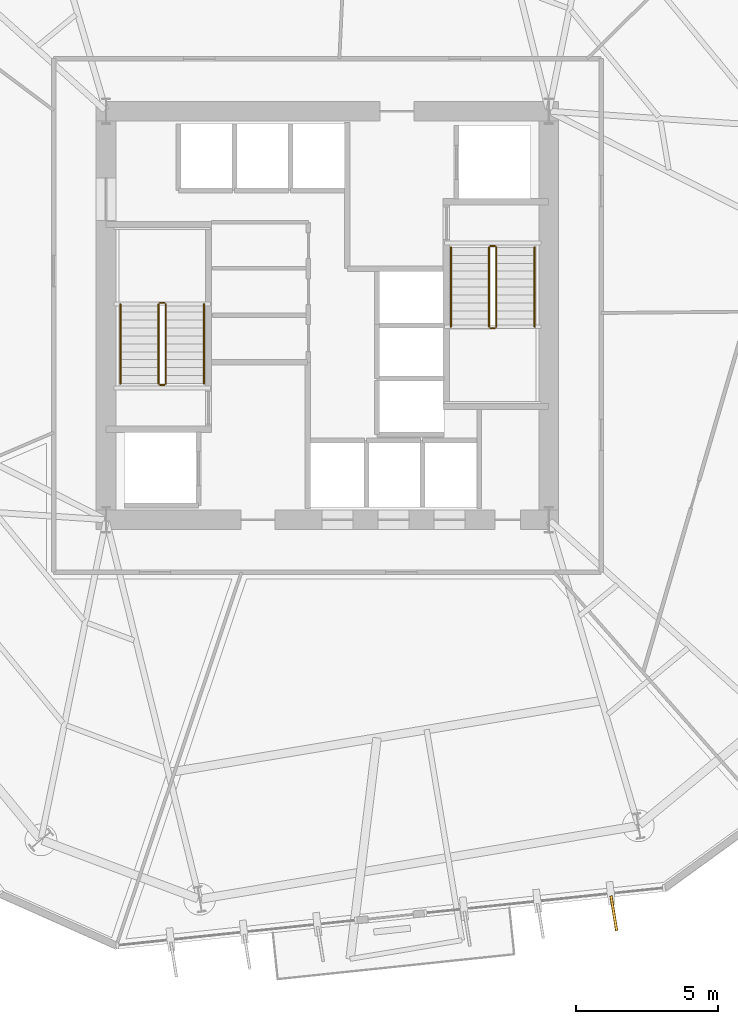
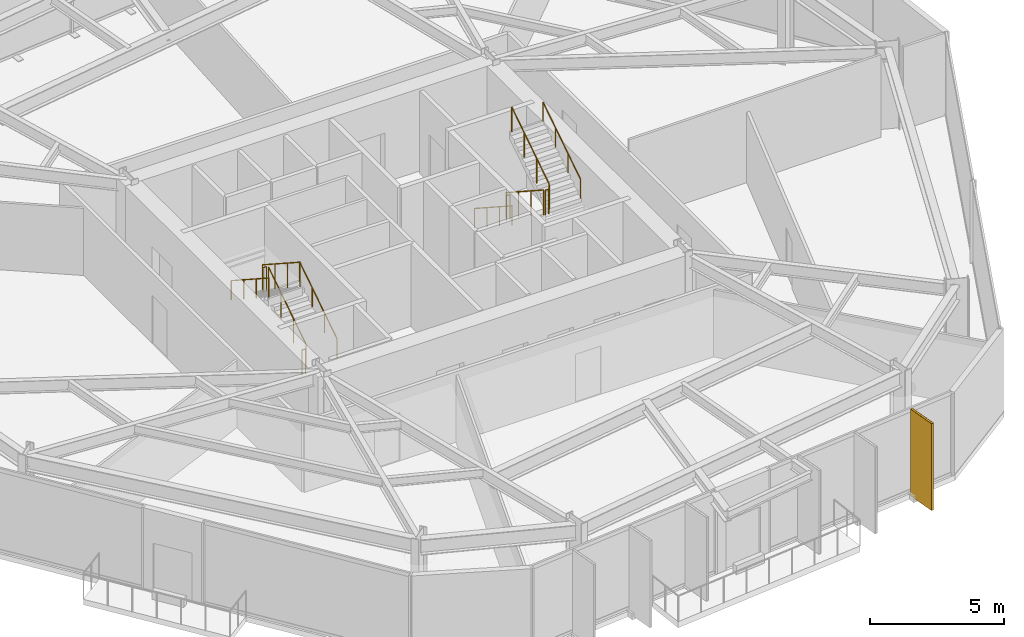
# One storey, part 10 of 11: 12 railings, 1 covering, 1 shading device.
"""IFC4 building model written with IfcOpenShell, lengths in metres."""

from ifc_helpers import new_model, si_unit, direction, frame, origin, origin_2d, place, context, subcontext, project, spatial, rectangle, circle, extrude, material, layer, layer_set, type_object, element, save


model = new_model("IFC4")

# Units and contexts
model_context = context("Model", 3, precision=1e-05, world=origin(), true_north=direction((0.0, 1.0)))
body_context = subcontext(model_context, "Body", "Model", "MODEL_VIEW")
ifc_project = project(units=[si_unit("LENGTHUNIT", "METRE"), si_unit("AREAUNIT", "SQUARE_METRE"), si_unit("VOLUMEUNIT", "CUBIC_METRE"), si_unit("PLANEANGLEUNIT", "RADIAN"), si_unit("MASSUNIT", "GRAM", prefix="KILO")], contexts=[model_context])

# Site, building, storey
site_placement = place(None, origin())
site = spatial("IfcSite", under=ifc_project, at=site_placement, CompositionType="ELEMENT")
building_placement = place(site_placement, origin())
building = spatial("IfcBuilding", under=site, at=building_placement, Name="Kranzbogen Civic Tower", CompositionType="ELEMENT")
storey_placement = place(building_placement, frame((0.0, 0.0, 44.0)))
storey = spatial("IfcBuildingStorey", under=building, at=storey_placement, Name="L10", CompositionType="ELEMENT", Elevation=44.0)

# Covering
ifc_material_1 = material(Name="Pale Anodised Aluminium", Category="aluminium")
ifc_layer = layer(ifc_material_1, 0.02490234375, Name="Pale Anodised Aluminium")
ifc_layer_set = layer_set([ifc_layer], Name="Pale Anodised Aluminium")
covering_type = type_object("IfcCoveringType", Name="Anodised Aluminium Vertical Fin Cladding 25 mm", PredefinedType="CLADDING", material=ifc_layer_set)
covering_placement = place(storey_placement, frame((35.093994140625, 3.927978515625, -0.139892578125), z_axis=(0.0, 0.0, 1.0), x_axis=(0.161397130983, -0.986889540988, 0.0)))
element("IfcCovering", 1, at=covering_placement, inside=storey, type_object=covering_type, Name="L10 vertical fin pale-metal cladding F5-7", PredefinedType="CLADDING", context=body_context, shape_type="SweptSolid", body=[
    extrude(rectangle(XDim=1.25, YDim=0.10009765625, at=origin_2d()), origin(), (0.0, 0.0, 1.0), 3.9599609375),
])

# Shading device
ifc_material_2 = material(Name="Anodised Bronze Aluminium", Category="aluminium")
shading_device_type = type_object("IfcShadingDeviceType", Name="Anodised Bronze Vertical Facade Fin 1250x80", PredefinedType="USERDEFINED", material=ifc_material_2)
shading_device_placement = place(storey_placement, frame((35.093994140625, 3.927978515625, -0.139892578125), z_axis=(0.0, 0.0, 1.0), x_axis=(0.161397130983, -0.986889540988, 0.0)))
element("IfcShadingDevice", 2, at=shading_device_placement, inside=storey, type_object=shading_device_type, Name="L10 vertical exterior shading fin F5-7", ObjectType="FIN", PredefinedType="USERDEFINED", context=body_context, shape_type="SweptSolid", body=[
    extrude(rectangle(XDim=1.25, YDim=0.080078125, at=origin_2d()), origin(), (0.0, 0.0, 1.0), 3.9599609375),
])

# Railings
ifc_material_3 = material(Name="Steel S355", Category="steel")
railing_type_1 = type_object("IfcRailingType", Name="Internal Stair and Void Steel Guardrail 1150", PredefinedType="GUARDRAIL", material=ifc_material_3)
railing_1_placement = place(storey_placement, frame((19.300048828125, 22.60009765625, 0.181884765625)))
element("IfcRailing", 3, at=railing_1_placement, inside=storey, type_object=railing_type_1, Name="L10 ST-T1 stair guard 1", PredefinedType="GUARDRAIL", context=body_context, shape_type="SweptSolid", body=[
    extrude(circle(Radius=0.02392578125, at=origin_2d()), frame((0.0, 0.0, 1.1259765625), z_axis=(0.0, 0.83868413941, 0.544618136222), x_axis=(-1.0, 0.0, 0.0)), (0.0, 0.0, 1.0), 3.33837890625),
    extrude(circle(Radius=0.02099609375, at=origin_2d()), origin(), (0.0, 0.0, 1.0), 1.101806640625),
    extrude(circle(Radius=0.02099609375, at=origin_2d()), frame((0.0, 0.933349609375, 0.60595703125)), (0.0, 0.0, 1.0), 1.101806640625),
    extrude(circle(Radius=0.02099609375, at=origin_2d()), frame((0.0, 1.866455078125, 1.212158203125)), (0.0, 0.0, 1.0), 1.101806640625),
    extrude(circle(Radius=0.02099609375, at=origin_2d()), frame((0.0, 2.7998046875, 1.818115234375)), (0.0, 0.0, 1.0), 1.101806640625),
])
railing_2_placement = place(storey_placement, frame((19.25, 25.449951171875, 2.0)))
element("IfcRailing", 4, at=railing_2_placement, inside=storey, type_object=railing_type_1, Name="L10 ST-T1 stair guard 2", PredefinedType="GUARDRAIL", context=body_context, shape_type="SweptSolid", body=[
    extrude(circle(Radius=0.02392578125, at=origin_2d()), frame((0.0, 0.0, 1.1259765625), z_axis=(-1.0, 0.0, 0.0), x_axis=(0.0, -1.0, 0.0)), (0.0, 0.0, 1.0), 0.14990234375),
    extrude(circle(Radius=0.02099609375, at=origin_2d()), origin(), (0.0, 0.0, 1.0), 1.101806640625),
    extrude(circle(Radius=0.02099609375, at=origin_2d()), frame((-0.14990234375, 0.0, 0.0)), (0.0, 0.0, 1.0), 1.101806640625),
])
railing_3_placement = place(storey_placement, frame((19.050048828125, 25.39990234375, 2.181884765625)))
element("IfcRailing", 5, at=railing_3_placement, inside=storey, type_object=railing_type_1, Name="L10 ST-T1 stair guard 3", PredefinedType="GUARDRAIL", context=body_context, shape_type="SweptSolid", body=[
    extrude(circle(Radius=0.02392578125, at=origin_2d()), frame((0.0, 0.0, 1.1259765625), z_axis=(0.0, -0.83868413941, 0.544618136222), x_axis=(1.0, 0.0, 0.0)), (0.0, 0.0, 1.0), 3.33837890625),
    extrude(circle(Radius=0.02099609375, at=origin_2d()), origin(), (0.0, 0.0, 1.0), 1.101806640625),
    extrude(circle(Radius=0.02099609375, at=origin_2d()), frame((0.0, -0.933349609375, 0.60595703125)), (0.0, 0.0, 1.0), 1.101806640625),
    extrude(circle(Radius=0.02099609375, at=origin_2d()), frame((0.0, -1.866455078125, 1.212158203125)), (0.0, 0.0, 1.0), 1.101806640625),
    extrude(circle(Radius=0.02099609375, at=origin_2d()), frame((0.0, -2.7998046875, 1.818115234375)), (0.0, 0.0, 1.0), 1.101806640625),
])
railing_4_placement = place(storey_placement, frame((19.25, 22.550048828125, 0.0)))
element("IfcRailing", 6, at=railing_4_placement, inside=storey, type_object=railing_type_1, Name="L10 ST-T1 stair guard 4", PredefinedType="GUARDRAIL", context=body_context, shape_type="SweptSolid", body=[
    extrude(circle(Radius=0.02392578125, at=origin_2d()), frame((0.0, 0.0, 1.1259765625), z_axis=(-1.0, 0.0, 0.0), x_axis=(0.0, -1.0, 0.0)), (0.0, 0.0, 1.0), 0.14990234375),
    extrude(circle(Radius=0.02099609375, at=origin_2d()), origin(), (0.0, 0.0, 1.0), 1.101806640625),
    extrude(circle(Radius=0.02099609375, at=origin_2d()), frame((-0.14990234375, 0.0, 0.0)), (0.0, 0.0, 1.0), 1.101806640625),
])
railing_5_placement = place(storey_placement, frame((30.699951171875, 27.39990234375, 0.181884765625)))
element("IfcRailing", 7, at=railing_5_placement, inside=storey, type_object=railing_type_1, Name="L10 ST-T2 stair guard 1", PredefinedType="GUARDRAIL", context=body_context, shape_type="SweptSolid", body=[
    extrude(circle(Radius=0.02392578125, at=origin_2d()), frame((0.0, 0.0, 1.1259765625), z_axis=(0.0, -0.83868413941, 0.544618136222), x_axis=(1.0, 0.0, 0.0)), (0.0, 0.0, 1.0), 3.33837890625),
    extrude(circle(Radius=0.02099609375, at=origin_2d()), origin(), (0.0, 0.0, 1.0), 1.101806640625),
    extrude(circle(Radius=0.02099609375, at=origin_2d()), frame((0.0, -0.933349609375, 0.60595703125)), (0.0, 0.0, 1.0), 1.101806640625),
    extrude(circle(Radius=0.02099609375, at=origin_2d()), frame((0.0, -1.866455078125, 1.212158203125)), (0.0, 0.0, 1.0), 1.101806640625),
    extrude(circle(Radius=0.02099609375, at=origin_2d()), frame((0.0, -2.7998046875, 1.818115234375)), (0.0, 0.0, 1.0), 1.101806640625),
])
railing_6_placement = place(storey_placement, frame((30.75, 24.550048828125, 2.0)))
element("IfcRailing", 8, at=railing_6_placement, inside=storey, type_object=railing_type_1, Name="L10 ST-T2 stair guard 2", PredefinedType="GUARDRAIL", context=body_context, shape_type="SweptSolid", body=[
    extrude(circle(Radius=0.02392578125, at=origin_2d()), frame((0.0, 0.0, 1.1259765625), z_axis=(1.0, 0.0, 0.0), x_axis=(0.0, 1.0, 0.0)), (0.0, 0.0, 1.0), 0.14990234375),
    extrude(circle(Radius=0.02099609375, at=origin_2d()), origin(), (0.0, 0.0, 1.0), 1.101806640625),
    extrude(circle(Radius=0.02099609375, at=origin_2d()), frame((0.14990234375, 0.0, 0.0)), (0.0, 0.0, 1.0), 1.101806640625),
])
railing_7_placement = place(storey_placement, frame((30.949951171875, 24.60009765625, 2.181884765625)))
element("IfcRailing", 9, at=railing_7_placement, inside=storey, type_object=railing_type_1, Name="L10 ST-T2 stair guard 3", PredefinedType="GUARDRAIL", context=body_context, shape_type="SweptSolid", body=[
    extrude(circle(Radius=0.02392578125, at=origin_2d()), frame((0.0, 0.0, 1.1259765625), z_axis=(0.0, 0.83868413941, 0.544618136222), x_axis=(-1.0, 0.0, 0.0)), (0.0, 0.0, 1.0), 3.33837890625),
    extrude(circle(Radius=0.02099609375, at=origin_2d()), origin(), (0.0, 0.0, 1.0), 1.101806640625),
    extrude(circle(Radius=0.02099609375, at=origin_2d()), frame((0.0, 0.933349609375, 0.60595703125)), (0.0, 0.0, 1.0), 1.101806640625),
    extrude(circle(Radius=0.02099609375, at=origin_2d()), frame((0.0, 1.866455078125, 1.212158203125)), (0.0, 0.0, 1.0), 1.101806640625),
    extrude(circle(Radius=0.02099609375, at=origin_2d()), frame((0.0, 2.7998046875, 1.818115234375)), (0.0, 0.0, 1.0), 1.101806640625),
])
railing_8_placement = place(storey_placement, frame((30.75, 27.449951171875, 0.0)))
element("IfcRailing", 10, at=railing_8_placement, inside=storey, type_object=railing_type_1, Name="L10 ST-T2 stair guard 4", PredefinedType="GUARDRAIL", context=body_context, shape_type="SweptSolid", body=[
    extrude(circle(Radius=0.02392578125, at=origin_2d()), frame((0.0, 0.0, 1.1259765625), z_axis=(1.0, 0.0, 0.0), x_axis=(0.0, 1.0, 0.0)), (0.0, 0.0, 1.0), 0.14990234375),
    extrude(circle(Radius=0.02099609375, at=origin_2d()), origin(), (0.0, 0.0, 1.0), 1.101806640625),
    extrude(circle(Radius=0.02099609375, at=origin_2d()), frame((0.14990234375, 0.0, 0.0)), (0.0, 0.0, 1.0), 1.101806640625),
])
railing_type_2 = type_object("IfcRailingType", Name="Tubular Stainless Stair Wall Handrail 900", PredefinedType="HANDRAIL", material=ifc_material_1)
railing_9_placement = place(storey_placement, frame((20.64990234375, 22.60009765625, 0.181884765625)))
element("IfcRailing", 11, at=railing_9_placement, inside=storey, type_object=railing_type_2, Name="L10 ST-T1 stair handrail 1", PredefinedType="HANDRAIL", context=body_context, shape_type="SweptSolid", body=[
    extrude(circle(Radius=0.02392578125, at=origin_2d()), frame((0.0, 0.0, 0.8759765625), z_axis=(0.0, 0.83868413941, 0.544618136222), x_axis=(-1.0, 0.0, 0.0)), (0.0, 0.0, 1.0), 3.33837890625),
    extrude(circle(Radius=0.02099609375, at=origin_2d()), origin(), (0.0, 0.0, 1.0), 0.851806640625),
    extrude(circle(Radius=0.02099609375, at=origin_2d()), frame((0.0, 0.933349609375, 0.60595703125)), (0.0, 0.0, 1.0), 0.851806640625),
    extrude(circle(Radius=0.02099609375, at=origin_2d()), frame((0.0, 1.866455078125, 1.212158203125)), (0.0, 0.0, 1.0), 0.851806640625),
    extrude(circle(Radius=0.02099609375, at=origin_2d()), frame((0.0, 2.7998046875, 1.818115234375)), (0.0, 0.0, 1.0), 0.851806640625),
])
for number, where, name in (
    (12, (17.699951171875, 25.39990234375, 2.181884765625), "L10 ST-T1 stair handrail 2"),
    (13, (29.35009765625, 27.39990234375, 0.181884765625), "L10 ST-T2 stair handrail 1"),
):
    element("IfcRailing", number, at=place(storey_placement, frame(where)), inside=storey, type_object=railing_type_2, Name=name, PredefinedType="HANDRAIL", context=body_context, shape_type="SweptSolid", body=[
        extrude(circle(Radius=0.02392578125, at=origin_2d()), frame((0.0, 0.0, 0.8759765625), z_axis=(0.0, -0.83868413941, 0.544618136222), x_axis=(1.0, 0.0, 0.0)), (0.0, 0.0, 1.0), 3.33837890625),
        extrude(circle(Radius=0.02099609375, at=origin_2d()), origin(), (0.0, 0.0, 1.0), 0.851806640625),
        extrude(circle(Radius=0.02099609375, at=origin_2d()), frame((0.0, -0.933349609375, 0.60595703125)), (0.0, 0.0, 1.0), 0.851806640625),
        extrude(circle(Radius=0.02099609375, at=origin_2d()), frame((0.0, -1.866455078125, 1.212158203125)), (0.0, 0.0, 1.0), 0.851806640625),
        extrude(circle(Radius=0.02099609375, at=origin_2d()), frame((0.0, -2.7998046875, 1.818115234375)), (0.0, 0.0, 1.0), 0.851806640625),
    ])
railing_10_placement = place(storey_placement, frame((32.300048828125, 24.60009765625, 2.181884765625)))
element("IfcRailing", 14, at=railing_10_placement, inside=storey, type_object=railing_type_2, Name="L10 ST-T2 stair handrail 2", PredefinedType="HANDRAIL", context=body_context, shape_type="SweptSolid", body=[
    extrude(circle(Radius=0.02392578125, at=origin_2d()), frame((0.0, 0.0, 0.8759765625), z_axis=(0.0, 0.83868413941, 0.544618136222), x_axis=(-1.0, 0.0, 0.0)), (0.0, 0.0, 1.0), 3.33837890625),
    extrude(circle(Radius=0.02099609375, at=origin_2d()), origin(), (0.0, 0.0, 1.0), 0.851806640625),
    extrude(circle(Radius=0.02099609375, at=origin_2d()), frame((0.0, 0.933349609375, 0.60595703125)), (0.0, 0.0, 1.0), 0.851806640625),
    extrude(circle(Radius=0.02099609375, at=origin_2d()), frame((0.0, 1.866455078125, 1.212158203125)), (0.0, 0.0, 1.0), 0.851806640625),
    extrude(circle(Radius=0.02099609375, at=origin_2d()), frame((0.0, 2.7998046875, 1.818115234375)), (0.0, 0.0, 1.0), 0.851806640625),
])

save(model, "model.ifc")
